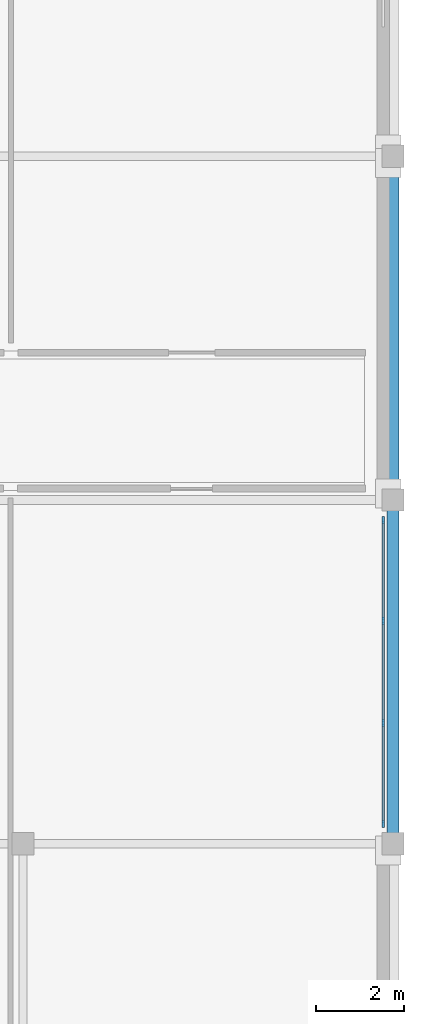
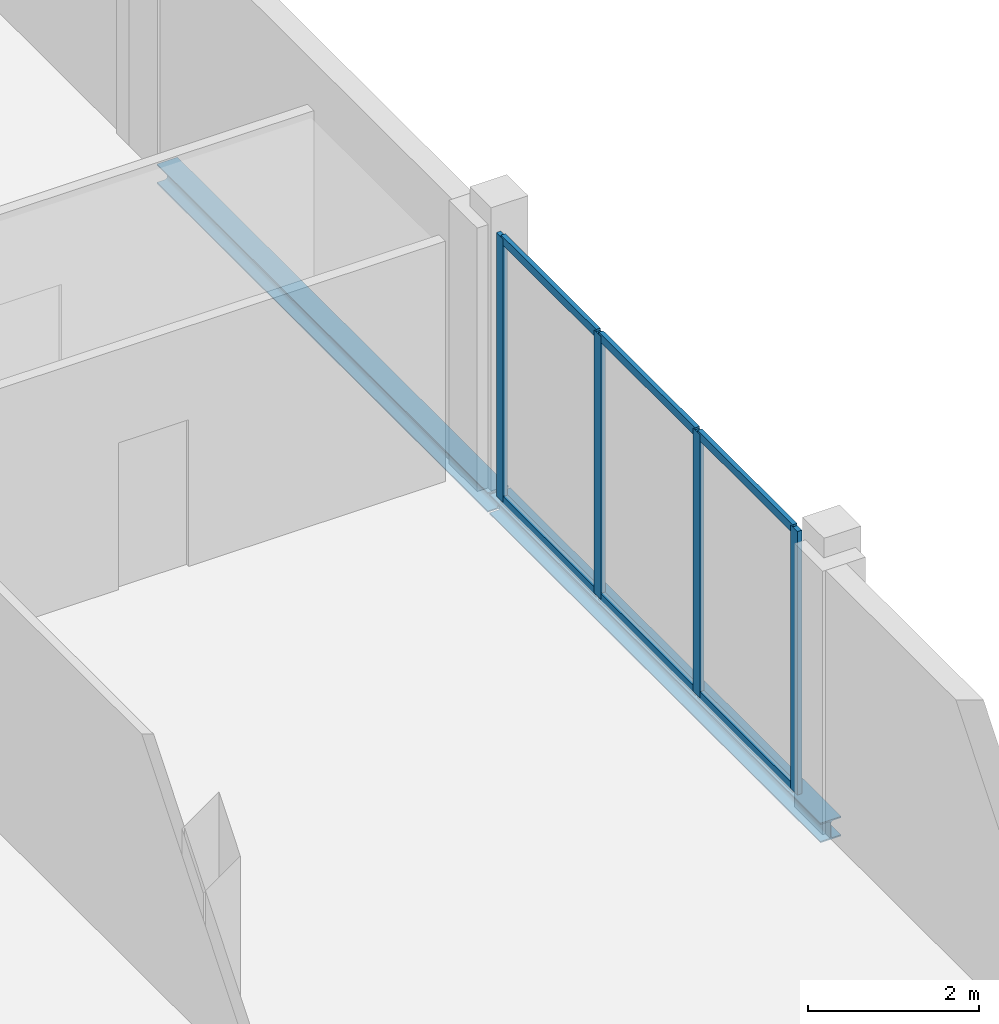
# One storey, part 12 of 41: 10 members, 2 beams, 1 element without a shape of its own.
"""IFC4 building model written with IfcOpenShell, lengths in metres."""

from ifc_helpers import new_model, si_unit, direction, frame, origin, origin_2d, place, context, subcontext, project, spatial, rectangle, i_section, extrude, material, material_profile, profile_set, type_object, element, aggregate, save


model = new_model("IFC4")

# Units and contexts
model_context = context("Model", 3, precision=1e-05, world=origin(), true_north=direction((0.0, 1.0)))
body_context = subcontext(model_context, "Body", "Model", "MODEL_VIEW")
ifc_project = project(units=[si_unit("LENGTHUNIT", "METRE"), si_unit("AREAUNIT", "SQUARE_METRE"), si_unit("VOLUMEUNIT", "CUBIC_METRE"), si_unit("PLANEANGLEUNIT", "RADIAN"), si_unit("MASSUNIT", "GRAM", prefix="KILO")], contexts=[model_context])

# Site, building, storey
site_placement = place(None, origin())
site = spatial("IfcSite", under=ifc_project, at=site_placement, CompositionType="ELEMENT")
building_placement = place(site_placement, origin())
building = spatial("IfcBuilding", under=site, at=building_placement, Name="Nabrawat Pavilion Hospital", CompositionType="ELEMENT")
storey_placement = place(building_placement, frame((0.0, 0.0, 18.89990234375)))
storey = spatial("IfcBuildingStorey", under=building, at=storey_placement, Name="L04", CompositionType="ELEMENT", Elevation=18.89990234375)

# Curtain wall, members
ifc_material_1 = material(Name="Anodised Aluminium", Category="aluminium")
curtain_wall_type = type_object("IfcCurtainWallType", Name="Outpatient Boulevard Curtain Wall", PredefinedType="USERDEFINED", material=ifc_material_1)
curtain_wall_placement = place(storey_placement, origin())
curtain_wall = element("IfcCurtainWall", 1, at=curtain_wall_placement, inside=storey, type_object=curtain_wall_type, Name="L04 Outpatient Boulevard Curtain Wall 149", ObjectType="CURTAIN WALL", PredefinedType="USERDEFINED")
ifc_material_profile_1 = material_profile(ifc_material_1, rectangle(XDim=0.06005859375, YDim=0.159912109375, at=origin_2d()), Name="CWM 60x160")
ifc_profile_set_1 = profile_set([ifc_material_profile_1], Name="Anodised Aluminium")
member_type_1 = type_object("IfcMemberType", Name="Outpatient Boulevard Curtain Wall Mullion CWM 60x160", PredefinedType="MULLION", material=ifc_profile_set_1)
member_1_placement = place(storey_placement, frame((192.97998046875, 16.050048828125, 0.0), z_axis=(0.0, 0.0, 1.0), x_axis=(-1.0, 0.0, 0.0)))
member_1 = element("IfcMember", 2, at=member_1_placement, type_object=member_type_1, Name="CW-OPC-01 mullion 1", PredefinedType="MULLION", context=body_context, shape_type="SweptSolid", body=[
    extrude(rectangle(XDim=0.06005859375, YDim=0.159912109375, at=origin_2d()), origin(), (0.0, 0.0, 1.0), 3.77001953125),
])
member_2_placement = place(storey_placement, frame((192.97998046875, 18.340087890625, 0.0), z_axis=(0.0, 0.0, 1.0), x_axis=(-1.0, 0.0, 0.0)))
member_2 = element("IfcMember", 3, at=member_2_placement, type_object=member_type_1, Name="CW-OPC-01 mullion 2", PredefinedType="MULLION", context=body_context, shape_type="SweptSolid", body=[
    extrude(rectangle(XDim=0.06005859375, YDim=0.159912109375, at=origin_2d()), origin(), (0.0, 0.0, 1.0), 3.77001953125),
])
member_3_placement = place(storey_placement, frame((192.97998046875, 20.659912109375, 0.0), z_axis=(0.0, 0.0, 1.0), x_axis=(-1.0, 0.0, 0.0)))
member_3 = element("IfcMember", 4, at=member_3_placement, type_object=member_type_1, Name="CW-OPC-01 mullion 3", PredefinedType="MULLION", context=body_context, shape_type="SweptSolid", body=[
    extrude(rectangle(XDim=0.06005859375, YDim=0.159912109375, at=origin_2d()), origin(), (0.0, 0.0, 1.0), 3.77001953125),
])
member_4_placement = place(storey_placement, frame((192.97998046875, 22.949951171875, 0.0), z_axis=(0.0, 0.0, 1.0), x_axis=(-1.0, 0.0, 0.0)))
member_4 = element("IfcMember", 5, at=member_4_placement, type_object=member_type_1, Name="CW-OPC-01 mullion 4", PredefinedType="MULLION", context=body_context, shape_type="SweptSolid", body=[
    extrude(rectangle(XDim=0.06005859375, YDim=0.159912109375, at=origin_2d()), origin(), (0.0, 0.0, 1.0), 3.77001953125),
])
ifc_material_profile_2 = material_profile(ifc_material_1, rectangle(XDim=0.06005859375, YDim=0.1201171875, at=origin_2d()), Name="CWT 60x120")
ifc_profile_set_2 = profile_set([ifc_material_profile_2], Name="Anodised Aluminium")
member_type_2 = type_object("IfcMemberType", Name="Outpatient Boulevard Curtain Wall Transom CWT 60x120", PredefinedType="USERDEFINED", material=ifc_profile_set_2)
member_5_placement = place(storey_placement, frame((192.97998046875, 16.080078125, 0.030029296875), z_axis=(0.0, 1.0, 0.0), x_axis=(-1.0, 0.0, 0.0)))
member_5 = element("IfcMember", 6, at=member_5_placement, type_object=member_type_2, Name="CW-OPC-01 transom 1.1", ObjectType="TRANSOM", PredefinedType="USERDEFINED", context=body_context, shape_type="SweptSolid", body=[
    extrude(rectangle(XDim=0.06005859375, YDim=0.1201171875, at=origin_2d()), origin(), (0.0, 0.0, 1.0), 2.22998046875),
])
member_6_placement = place(storey_placement, frame((192.97998046875, 16.080078125, 3.739990234375), z_axis=(0.0, 1.0, 0.0), x_axis=(-1.0, 0.0, 0.0)))
member_6 = element("IfcMember", 7, at=member_6_placement, type_object=member_type_2, Name="CW-OPC-01 transom 1.2", ObjectType="TRANSOM", PredefinedType="USERDEFINED", context=body_context, shape_type="SweptSolid", body=[
    extrude(rectangle(XDim=0.06005859375, YDim=0.1201171875, at=origin_2d()), origin(), (0.0, 0.0, 1.0), 2.22998046875),
])
member_7_placement = place(storey_placement, frame((192.97998046875, 18.3701171875, 0.030029296875), z_axis=(0.0, 1.0, 0.0), x_axis=(-1.0, 0.0, 0.0)))
member_7 = element("IfcMember", 8, at=member_7_placement, type_object=member_type_2, Name="CW-OPC-01 transom 2.1", ObjectType="TRANSOM", PredefinedType="USERDEFINED", context=body_context, shape_type="SweptSolid", body=[
    extrude(rectangle(XDim=0.06005859375, YDim=0.1201171875, at=origin_2d()), origin(), (0.0, 0.0, 1.0), 2.259765625),
])
member_8_placement = place(storey_placement, frame((192.97998046875, 18.3701171875, 3.739990234375), z_axis=(0.0, 1.0, 0.0), x_axis=(-1.0, 0.0, 0.0)))
member_8 = element("IfcMember", 9, at=member_8_placement, type_object=member_type_2, Name="CW-OPC-01 transom 2.2", ObjectType="TRANSOM", PredefinedType="USERDEFINED", context=body_context, shape_type="SweptSolid", body=[
    extrude(rectangle(XDim=0.06005859375, YDim=0.1201171875, at=origin_2d()), origin(), (0.0, 0.0, 1.0), 2.259765625),
])
member_9_placement = place(storey_placement, frame((192.97998046875, 20.68994140625, 0.030029296875), z_axis=(0.0, 1.0, 0.0), x_axis=(-1.0, 0.0, 0.0)))
member_9 = element("IfcMember", 10, at=member_9_placement, type_object=member_type_2, Name="CW-OPC-01 transom 3.1", ObjectType="TRANSOM", PredefinedType="USERDEFINED", context=body_context, shape_type="SweptSolid", body=[
    extrude(rectangle(XDim=0.06005859375, YDim=0.1201171875, at=origin_2d()), origin(), (0.0, 0.0, 1.0), 2.22998046875),
])
member_10_placement = place(storey_placement, frame((192.97998046875, 20.68994140625, 3.739990234375), z_axis=(0.0, 1.0, 0.0), x_axis=(-1.0, 0.0, 0.0)))
member_10 = element("IfcMember", 11, at=member_10_placement, type_object=member_type_2, Name="CW-OPC-01 transom 3.2", ObjectType="TRANSOM", PredefinedType="USERDEFINED", context=body_context, shape_type="SweptSolid", body=[
    extrude(rectangle(XDim=0.06005859375, YDim=0.1201171875, at=origin_2d()), origin(), (0.0, 0.0, 1.0), 2.22998046875),
])
aggregate(curtain_wall, [member_1, member_2, member_3, member_4, member_5, member_6, member_7, member_8, member_9, member_10])

# Beams
ifc_material_2 = material(Name="Steel S355", Category="steel")
ifc_material_profile_3 = material_profile(ifc_material_2, i_section(OverallWidth=0.280029296875, OverallDepth=0.280029296875, WebThickness=0.010498046875, FlangeThickness=0.01806640625, FilletRadius=0.02392578125, at=origin_2d()), Name="HEB 280")
ifc_profile_set_3 = profile_set([ifc_material_profile_3], Name="Steel S355")
beam_type = type_object("IfcBeamType", Name="Upper Terrace Edge Spandrel HEB 280", PredefinedType="SPANDREL", material=ifc_profile_set_3)
beam_1_placement = place(storey_placement, frame((193.199951171875, 15.6201171875, -0.369873046875), z_axis=(0.0, 1.0, 0.0), x_axis=(-1.0, 0.0, 0.0)))
element("IfcBeam", 12, at=beam_1_placement, inside=storey, type_object=beam_type, Name="L04 Primary Y Beam 1962", PredefinedType="SPANDREL", context=body_context, shape_type="SweptSolid", body=[
    extrude(i_section(OverallWidth=0.280029296875, OverallDepth=0.280029296875, WebThickness=0.010498046875, FlangeThickness=0.01806640625, FilletRadius=0.02392578125, at=origin_2d()), origin(), (0.0, 0.0, 1.0), 7.759765625),
])
beam_2_placement = place(storey_placement, frame((193.199951171875, 23.419921875, -0.369873046875), z_axis=(0.0, 1.0, 0.0), x_axis=(-1.0, 0.0, 0.0)))
element("IfcBeam", 13, at=beam_2_placement, inside=storey, type_object=beam_type, Name="L04 Primary Y Beam 1963", PredefinedType="SPANDREL", context=body_context, shape_type="SweptSolid", body=[
    extrude(i_section(OverallWidth=0.280029296875, OverallDepth=0.280029296875, WebThickness=0.010498046875, FlangeThickness=0.01806640625, FilletRadius=0.02392578125, at=origin_2d()), origin(), (0.0, 0.0, 1.0), 7.760009765625),
])

save(model, "model.ifc")
